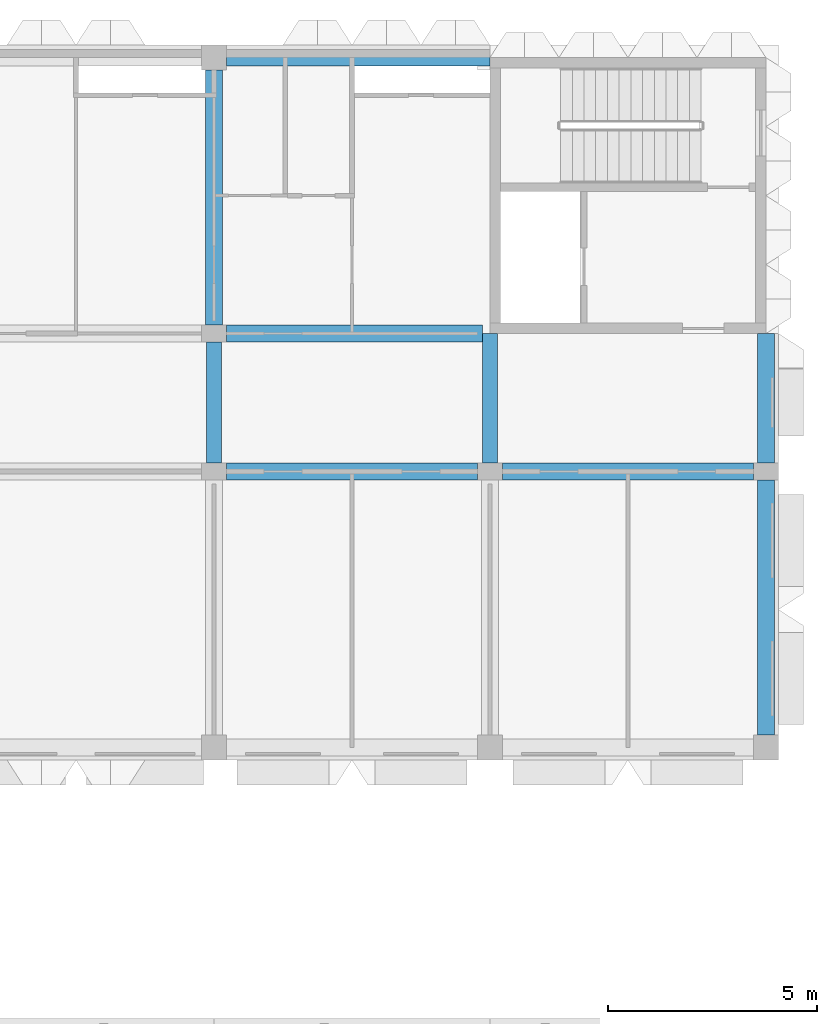
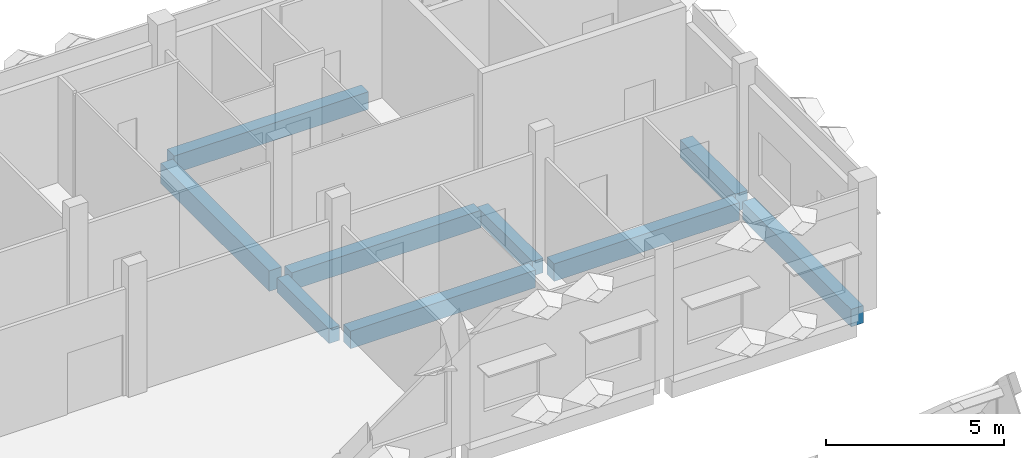
# One storey, part 32 of 102: 9 beams.
"""IFC4 building model written with IfcOpenShell, lengths in metres."""

from ifc_helpers import new_model, si_unit, direction, frame, origin, origin_2d, place, context, subcontext, project, spatial, rectangle, extrude, material, material_profile, profile_set, type_object, element, save


model = new_model("IFC4")

# Units and contexts
model_context = context("Model", 3, precision=1e-05, world=origin(), true_north=direction((0.0, 1.0)))
body_context = subcontext(model_context, "Body", "Model", "MODEL_VIEW")
ifc_project = project(units=[si_unit("LENGTHUNIT", "METRE"), si_unit("AREAUNIT", "SQUARE_METRE"), si_unit("VOLUMEUNIT", "CUBIC_METRE"), si_unit("PLANEANGLEUNIT", "RADIAN"), si_unit("MASSUNIT", "GRAM", prefix="KILO")], contexts=[model_context])

# Site, building, storey
site_placement = place(None, origin())
site = spatial("IfcSite", under=ifc_project, at=site_placement, CompositionType="ELEMENT")
building_placement = place(site_placement, origin())
building = spatial("IfcBuilding", under=site, at=building_placement, Name="Lantern Court Research Institute", CompositionType="ELEMENT")
storey_placement = place(building_placement, frame((0.0, 0.0, 9.89990234375)))
storey = spatial("IfcBuildingStorey", under=building, at=storey_placement, Name="L02", CompositionType="ELEMENT", Elevation=9.89990234375)

# Beams
ifc_material_1 = material(Name="Concrete C40/50", Category="concrete")
ifc_material_profile_1 = material_profile(ifc_material_1, rectangle(XDim=0.39990234375, YDim=0.60009765625, at=origin_2d()), Name="RC beam 400 x 600")
ifc_profile_set_1 = profile_set([ifc_material_profile_1], Name="Concrete C40/50")
beam_type_1 = type_object("IfcBeamType", Name="RC beam 400 x 600", PredefinedType="BEAM", material=ifc_profile_set_1)
for number, where, z_axis, x_axis, name in (
    (1, (66.300048828125, 89.10009765625, -0.5498046875), (1.0, 0.0, 0.0), (0.0, 1.0, 0.0), "Beam L02 grid K/11-12"),
    (2, (72.89990234375, 89.10009765625, -0.5498046875), (1.0, 0.0, 0.0), (0.0, 1.0, 0.0), "Beam L02 grid K/12-13"),
):
    element("IfcBeam", number, at=place(storey_placement, frame(where, z_axis=z_axis, x_axis=x_axis)), inside=storey, type_object=beam_type_1, Name=name, PredefinedType="BEAM", context=body_context, shape_type="SweptSolid", body=[
        extrude(rectangle(XDim=0.39990234375, YDim=0.60009765625, at=origin_2d()), origin(), (0.0, 0.0, 1.0), 6.0),
    ])
beam_1_placement = place(storey_placement, frame((66.300048828125, 92.39990234375, -0.5498046875), z_axis=(1.0, 0.0, 0.0), x_axis=(0.0, 1.0, 0.0)))
element("IfcBeam", 3, at=beam_1_placement, inside=storey, type_object=beam_type_1, Name="Beam L02 grid L/11-12", PredefinedType="BEAM", context=body_context, shape_type="SweptSolid", body=[
    extrude(rectangle(XDim=0.39990234375, YDim=0.60009765625, at=origin_2d()), origin(), (0.0, 0.0, 1.0), 6.125),
])
ifc_material_2 = material(Name="Concrete C40/50", Category="concrete")
ifc_material_profile_2 = material_profile(ifc_material_2, rectangle(XDim=0.39990234375, YDim=0.699951171875, at=origin_2d()), Name="RC beam 400 x 700")
ifc_profile_set_2 = profile_set([ifc_material_profile_2], Name="Concrete C40/50")
beam_type_2 = type_object("IfcBeamType", Name="RC beam 400 x 700", PredefinedType="BEAM", material=ifc_profile_set_2)
beam_2_placement = place(storey_placement, frame((66.0, 92.60009765625, -0.599853515625), z_axis=(0.0, 1.0, 0.0), x_axis=(-1.0, 0.0, 0.0)))
element("IfcBeam", 4, at=beam_2_placement, inside=storey, type_object=beam_type_2, Name="Beam L02 grid 11/L-M", PredefinedType="BEAM", context=body_context, shape_type="SweptSolid", body=[
    extrude(rectangle(XDim=0.39990234375, YDim=0.699951171875, at=origin_2d()), origin(), (0.0, 0.0, 1.0), 6.099853515625),
])
ifc_material_3 = material(Name="Concrete C40/50", Category="concrete")
ifc_material_profile_3 = material_profile(ifc_material_3, rectangle(XDim=0.39990234375, YDim=0.60009765625, at=origin_2d()), Name="RC beam 400 x 600")
ifc_profile_set_3 = profile_set([ifc_material_profile_3], Name="Concrete C40/50")
beam_type_3 = type_object("IfcBeamType", Name="RC edge beam 400 x 600", PredefinedType="BEAM", material=ifc_profile_set_3)
beam_3_placement = place(storey_placement, frame((79.199951171875, 82.800048828125, -0.5498046875), z_axis=(0.0, 1.0, 0.0), x_axis=(-1.0, 0.0, 0.0)))
element("IfcBeam", 5, at=beam_3_placement, inside=storey, type_object=beam_type_3, Name="Edge beam L02 grid 13/J-K", PredefinedType="BEAM", context=body_context, shape_type="SweptSolid", body=[
    extrude(rectangle(XDim=0.39990234375, YDim=0.60009765625, at=origin_2d()), origin(), (0.0, 0.0, 1.0), 6.099853515625),
])
beam_4_placement = place(storey_placement, frame((79.199951171875, 89.300048828125, -0.5498046875), z_axis=(0.0, 1.0, 0.0), x_axis=(-1.0, 0.0, 0.0)))
element("IfcBeam", 6, at=beam_4_placement, inside=storey, type_object=beam_type_3, Name="Edge beam L02 grid 13/K-L", PredefinedType="BEAM", context=body_context, shape_type="SweptSolid", body=[
    extrude(rectangle(XDim=0.39990234375, YDim=0.60009765625, at=origin_2d()), origin(), (0.0, 0.0, 1.0), 3.099853515625),
])
beam_5_placement = place(storey_placement, frame((66.300048828125, 99.0, -0.5498046875), z_axis=(1.0, 0.0, 0.0), x_axis=(0.0, 1.0, 0.0)))
element("IfcBeam", 7, at=beam_5_placement, inside=storey, type_object=beam_type_3, Name="Edge beam L02 grid M/11-12", PredefinedType="BEAM", context=body_context, shape_type="SweptSolid", body=[
    extrude(rectangle(XDim=0.39990234375, YDim=0.60009765625, at=origin_2d()), origin(), (0.0, 0.0, 1.0), 6.300048828125),
])
ifc_material_4 = material(Name="Concrete C40/50", Category="concrete")
ifc_material_profile_4 = material_profile(ifc_material_4, rectangle(XDim=0.35009765625, YDim=0.5, at=origin_2d()), Name="RC beam 350 x 500")
ifc_profile_set_4 = profile_set([ifc_material_profile_4], Name="Concrete C40/50")
beam_type_4 = type_object("IfcBeamType", Name="RC spine beam 350 x 500", PredefinedType="BEAM", material=ifc_profile_set_4)
beam_6_placement = place(storey_placement, frame((66.0, 89.300048828125, -0.5), z_axis=(0.0, 1.0, 0.0), x_axis=(-1.0, 0.0, 0.0)))
element("IfcBeam", 8, at=beam_6_placement, inside=storey, type_object=beam_type_4, Name="Beam L02 grid 11/K-L", PredefinedType="BEAM", context=body_context, shape_type="SweptSolid", body=[
    extrude(rectangle(XDim=0.35009765625, YDim=0.5, at=origin_2d()), origin(), (0.0, 0.0, 1.0), 2.89990234375),
])
beam_7_placement = place(storey_placement, frame((72.60009765625, 89.300048828125, -0.5), z_axis=(0.0, 1.0, 0.0), x_axis=(-1.0, 0.0, 0.0)))
element("IfcBeam", 9, at=beam_7_placement, inside=storey, type_object=beam_type_4, Name="Beam L02 grid 12/K-L", PredefinedType="BEAM", context=body_context, shape_type="SweptSolid", body=[
    extrude(rectangle(XDim=0.35009765625, YDim=0.5, at=origin_2d()), origin(), (0.0, 0.0, 1.0), 3.099853515625),
])

save(model, "model.ifc")
